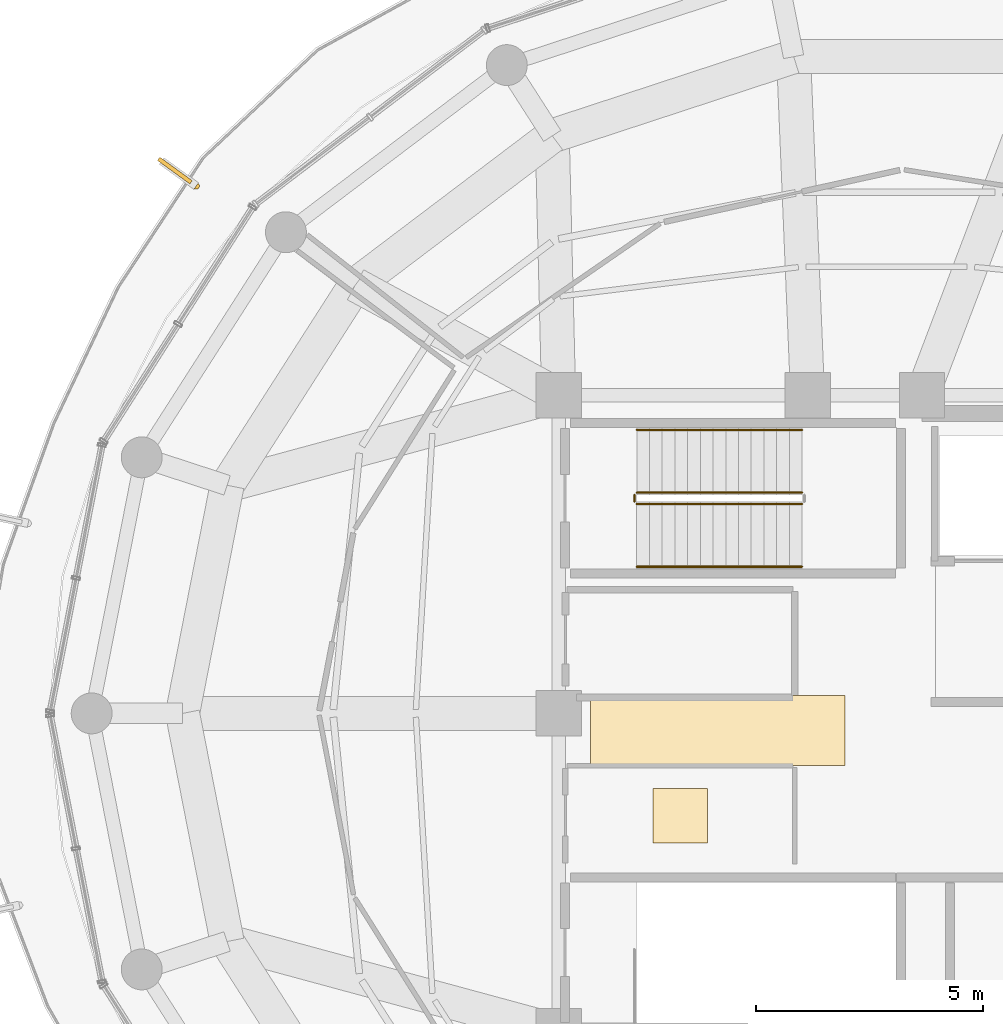
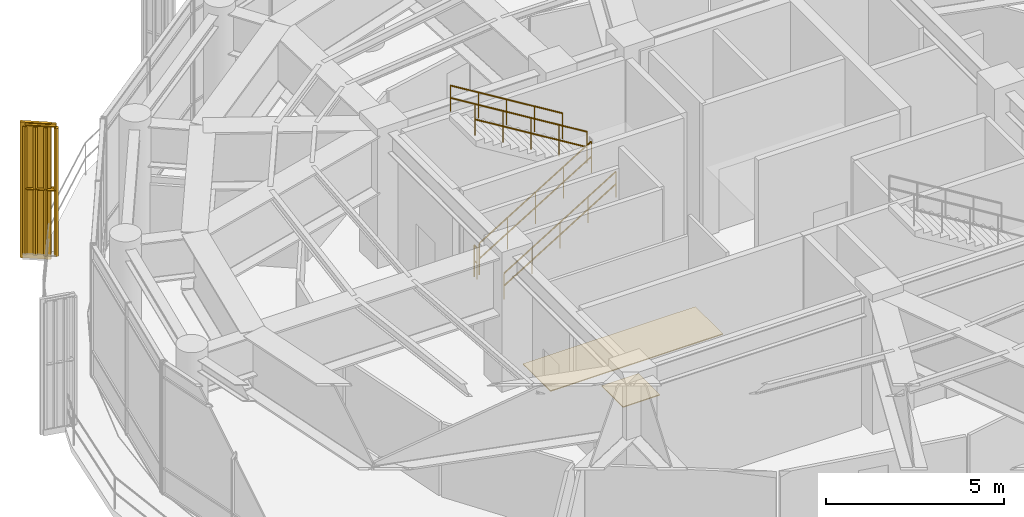
# One storey, part 22 of 23: 6 railings, 2 coverings, 1 shading device.
"""IFC4 building model written with IfcOpenShell, lengths in metres."""

from ifc_helpers import new_model, si_unit, direction, frame, origin, origin_2d, place, context, subcontext, project, spatial, polyline, rectangle, outline, extrude, source, transform, mapped, material, layer, layer_set, type_object, element, save


model = new_model("IFC4")

# Units and contexts
model_context = context("Model", 3, precision=1e-05, world=origin(), true_north=direction((0.0, 1.0)))
body_context = subcontext(model_context, "Body", "Model", "MODEL_VIEW")
ifc_project = project(units=[si_unit("LENGTHUNIT", "METRE"), si_unit("AREAUNIT", "SQUARE_METRE"), si_unit("VOLUMEUNIT", "CUBIC_METRE"), si_unit("PLANEANGLEUNIT", "RADIAN"), si_unit("MASSUNIT", "GRAM", prefix="KILO")], contexts=[model_context])

# Site, building, storey
site_placement = place(None, origin())
site = spatial("IfcSite", under=ifc_project, at=site_placement, CompositionType="ELEMENT")
building_placement = place(site_placement, origin())
building = spatial("IfcBuilding", under=site, at=building_placement, Name="Kelanora Arch Commons", CompositionType="ELEMENT")
storey_placement = place(building_placement, frame((0.0, 0.0, 293.699951171875)))
storey = spatial("IfcBuildingStorey", under=building, at=storey_placement, Name="L75", CompositionType="ELEMENT", Elevation=293.699951171875)

# Railings
ifc_material_1 = material(Name="Anodised bronze vertical shading fin rib assembly")
railing_type_1 = type_object("IfcRailingType", Name="RAIL-FIN-BRZ", PredefinedType="BALUSTRADE", material=ifc_material_1)
railing_1_placement = place(storey_placement, frame((58.0205078125, 69.60986328125, -0.02001953125)))
element("IfcRailing", 1, at=railing_1_placement, inside=storey, type_object=railing_type_1, Name="Sweeping Bronze Vertical Fin Blade L75-06", PredefinedType="BALUSTRADE", context=body_context, shape_type="SweptSolid", body=[
    extrude(outline(polyline([(0.06982421875, 0.0), (0.034912109375, 0.060546875), (-0.034912109375, 0.060546875), (-0.06982421875, 0.0), (-0.034912109375, -0.060546875), (0.034912109375, -0.060546875), (0.06982421875, 0.0)])), frame((0.0, 0.0, 4.47021484375), z_axis=(-0.809095890984, 0.587676645097, 0.0), x_axis=(-0.587676645097, -0.809095890984, 0.0)), (0.0, 0.0, 1.0), 0.8798828125),
    extrude(outline(polyline([(0.06982421875, 0.0), (0.034912109375, 0.060546875), (-0.034912109375, 0.060546875), (-0.06982421875, 0.0), (-0.034912109375, -0.060546875), (0.034912109375, -0.060546875), (0.06982421875, 0.0)])), frame((0.0, 0.0, 2.27001953125), z_axis=(-0.809095890984, 0.587676645097, 0.0), x_axis=(-0.587676645097, -0.809095890984, 0.0)), (0.0, 0.0, 1.0), 0.8798828125),
    extrude(outline(polyline([(0.080078125, 0.0), (0.0400390625, 0.0693359375), (-0.0400390625, 0.0693359375), (-0.080078125, 0.0), (-0.0400390625, -0.0693359375), (0.0400390625, -0.0693359375), (0.080078125, 0.0)])), origin(), (0.0, 0.0, 1.0), 4.400146484375),
    extrude(outline(polyline([(0.080078125, 0.0), (0.0400390625, 0.0693359375), (-0.0400390625, 0.0693359375), (-0.080078125, 0.0), (-0.0400390625, -0.0693359375), (0.0400390625, -0.0693359375), (0.080078125, 0.0)])), frame((-0.2373046875, 0.17236328125, 0.0)), (0.0, 0.0, 1.0), 4.400146484375),
    extrude(outline(polyline([(0.080078125, 0.0), (0.0400390625, 0.0693359375), (-0.0400390625, 0.0693359375), (-0.080078125, 0.0), (-0.0400390625, -0.0693359375), (0.0400390625, -0.0693359375), (0.080078125, 0.0)])), frame((-0.474609375, 0.3447265625, 0.0)), (0.0, 0.0, 1.0), 4.400146484375),
    extrude(outline(polyline([(0.080078125, 0.0), (0.0400390625, 0.0693359375), (-0.0400390625, 0.0693359375), (-0.080078125, 0.0), (-0.0400390625, -0.0693359375), (0.0400390625, -0.0693359375), (0.080078125, 0.0)])), frame((-0.7119140625, 0.51708984375, 0.0)), (0.0, 0.0, 1.0), 4.400146484375),
])
ifc_material_2 = material(Name="Painted steel stair well guard", Category="steel")
railing_type_2 = type_object("IfcRailingType", Name="RAIL-STAIR-GRD", PredefinedType="GUARDRAIL", material=ifc_material_2)
railing_2_placement = place(storey_placement, frame((67.719970703125, 62.610107421875, 0.17138671875)))
element("IfcRailing", 2, at=railing_2_placement, inside=storey, type_object=railing_type_2, Name="L75 ST-T1 stair guard 1", PredefinedType="GUARDRAIL", context=body_context, shape_type="SweptSolid", body=[
    extrude(outline(polyline([(0.02392578125, 0.0), (0.011962890625, 0.020751953125), (-0.011962890625, 0.020751953125), (-0.02392578125, 0.0), (-0.011962890625, -0.020751953125), (0.011962890625, -0.020751953125), (0.02392578125, 0.0)])), frame((0.0, 0.0, 1.076171875), z_axis=(0.852840387347, 0.0, 0.522171689878), x_axis=(0.0, 1.0, 0.0)), (0.0, 0.0, 1.0), 4.268310546875),
    extrude(outline(polyline([(0.02392578125, 0.0), (0.011962890625, 0.020751953125), (-0.011962890625, 0.020751953125), (-0.02392578125, 0.0), (-0.011962890625, -0.020751953125), (0.011962890625, -0.020751953125), (0.02392578125, 0.0)])), frame((0.0, 0.0, 0.550048828125), z_axis=(0.852840387347, 0.0, 0.522171689878), x_axis=(0.0, 1.0, 0.0)), (0.0, 0.0, 1.0), 4.268310546875),
    extrude(outline(polyline([(0.02099609375, 0.0), (0.010498046875, 0.01806640625), (-0.010498046875, 0.01806640625), (-0.02099609375, 0.0), (-0.010498046875, -0.01806640625), (0.010498046875, -0.01806640625), (0.02099609375, 0.0)])), origin(), (0.0, 0.0, 1.0), 1.052001953125),
    extrude(outline(polyline([(0.02099609375, 0.0), (0.010498046875, 0.01806640625), (-0.010498046875, 0.01806640625), (-0.02099609375, 0.0), (-0.010498046875, -0.01806640625), (0.010498046875, -0.01806640625), (0.02099609375, 0.0)])), frame((0.91015625, 0.0, 0.55712890625)), (0.0, 0.0, 1.0), 1.052001953125),
    extrude(outline(polyline([(0.02099609375, 0.0), (0.010498046875, 0.01806640625), (-0.010498046875, 0.01806640625), (-0.02099609375, 0.0), (-0.010498046875, -0.01806640625), (0.010498046875, -0.01806640625), (0.02099609375, 0.0)])), frame((1.820068359375, 0.0, 1.1142578125)), (0.0, 0.0, 1.0), 1.052001953125),
    extrude(outline(polyline([(0.02099609375, 0.0), (0.010498046875, 0.01806640625), (-0.010498046875, 0.01806640625), (-0.02099609375, 0.0), (-0.010498046875, -0.01806640625), (0.010498046875, -0.01806640625), (0.02099609375, 0.0)])), frame((2.72998046875, 0.0, 1.671630859375)), (0.0, 0.0, 1.0), 1.052001953125),
    extrude(outline(polyline([(0.02099609375, 0.0), (0.010498046875, 0.01806640625), (-0.010498046875, 0.01806640625), (-0.02099609375, 0.0), (-0.010498046875, -0.01806640625), (0.010498046875, -0.01806640625), (0.02099609375, 0.0)])), frame((3.64013671875, 0.0, 2.228759765625)), (0.0, 0.0, 1.0), 1.052001953125),
])
railing_3_placement = place(storey_placement, frame((71.360107421875, 62.860107421875, 2.571533203125)))
element("IfcRailing", 3, at=railing_3_placement, inside=storey, type_object=railing_type_2, Name="L75 ST-T1 stair guard 3", PredefinedType="GUARDRAIL", context=body_context, shape_type="SweptSolid", body=[
    extrude(outline(polyline([(0.02392578125, 0.0), (0.011962890625, 0.020751953125), (-0.011962890625, 0.020751953125), (-0.02392578125, 0.0), (-0.011962890625, -0.020751953125), (0.011962890625, -0.020751953125), (0.02392578125, 0.0)])), frame((0.0, 0.0, 1.076171875), z_axis=(-0.852865859571, 0.0, 0.52213008492), x_axis=(0.0, -1.0, 0.0)), (0.0, 0.0, 1.0), 4.26806640625),
    extrude(outline(polyline([(0.02392578125, 0.0), (0.011962890625, 0.020751953125), (-0.011962890625, 0.020751953125), (-0.02392578125, 0.0), (-0.011962890625, -0.020751953125), (0.011962890625, -0.020751953125), (0.02392578125, 0.0)])), frame((0.0, 0.0, 0.550048828125), z_axis=(-0.852865859571, 0.0, 0.52213008492), x_axis=(0.0, -1.0, 0.0)), (0.0, 0.0, 1.0), 4.26806640625),
    extrude(outline(polyline([(0.02099609375, 0.0), (0.010498046875, 0.01806640625), (-0.010498046875, 0.01806640625), (-0.02099609375, 0.0), (-0.010498046875, -0.01806640625), (0.010498046875, -0.01806640625), (0.02099609375, 0.0)])), origin(), (0.0, 0.0, 1.0), 1.052001953125),
    extrude(outline(polyline([(0.02099609375, 0.0), (0.010498046875, 0.01806640625), (-0.010498046875, 0.01806640625), (-0.02099609375, 0.0), (-0.010498046875, -0.01806640625), (0.010498046875, -0.01806640625), (0.02099609375, 0.0)])), frame((-0.91015625, 0.0, 0.55712890625)), (0.0, 0.0, 1.0), 1.052001953125),
    extrude(outline(polyline([(0.02099609375, 0.0), (0.010498046875, 0.01806640625), (-0.010498046875, 0.01806640625), (-0.02099609375, 0.0), (-0.010498046875, -0.01806640625), (0.010498046875, -0.01806640625), (0.02099609375, 0.0)])), frame((-1.820068359375, 0.0, 1.1142578125)), (0.0, 0.0, 1.0), 1.052001953125),
    extrude(outline(polyline([(0.02099609375, 0.0), (0.010498046875, 0.01806640625), (-0.010498046875, 0.01806640625), (-0.02099609375, 0.0), (-0.010498046875, -0.01806640625), (0.010498046875, -0.01806640625), (0.02099609375, 0.0)])), frame((-2.72998046875, 0.0, 1.67138671875)), (0.0, 0.0, 1.0), 1.052001953125),
    extrude(outline(polyline([(0.02099609375, 0.0), (0.010498046875, 0.01806640625), (-0.010498046875, 0.01806640625), (-0.02099609375, 0.0), (-0.010498046875, -0.01806640625), (0.010498046875, -0.01806640625), (0.02099609375, 0.0)])), frame((-3.64013671875, 0.0, 2.228515625)), (0.0, 0.0, 1.0), 1.052001953125),
])
railing_4_placement = place(storey_placement, frame((67.669921875, 62.659912109375, 0.0)))
element("IfcRailing", 4, at=railing_4_placement, inside=storey, type_object=railing_type_2, Name="L75 ST-T1 stair guard 4", PredefinedType="GUARDRAIL", context=body_context, shape_type="SweptSolid", body=[
    extrude(outline(polyline([(0.02392578125, 0.0), (0.011962890625, 0.020751953125), (-0.011962890625, 0.020751953125), (-0.02392578125, 0.0), (-0.011962890625, -0.020751953125), (0.011962890625, -0.020751953125), (0.02392578125, 0.0)])), frame((0.0, 0.0, 1.076171875), z_axis=(0.0, 1.0, 0.0), x_axis=(-1.0, 0.0, 0.0)), (0.0, 0.0, 1.0), 0.150146484375),
    extrude(outline(polyline([(0.02392578125, 0.0), (0.011962890625, 0.020751953125), (-0.011962890625, 0.020751953125), (-0.02392578125, 0.0), (-0.011962890625, -0.020751953125), (0.011962890625, -0.020751953125), (0.02392578125, 0.0)])), frame((0.0, 0.0, 0.550048828125), z_axis=(0.0, 1.0, 0.0), x_axis=(-1.0, 0.0, 0.0)), (0.0, 0.0, 1.0), 0.150146484375),
    extrude(outline(polyline([(0.02099609375, 0.0), (0.010498046875, 0.01806640625), (-0.010498046875, 0.01806640625), (-0.02099609375, 0.0), (-0.010498046875, -0.01806640625), (0.010498046875, -0.01806640625), (0.02099609375, 0.0)])), origin(), (0.0, 0.0, 1.0), 1.052001953125),
    extrude(outline(polyline([(0.02099609375, 0.0), (0.010498046875, 0.01806640625), (-0.010498046875, 0.01806640625), (-0.02099609375, 0.0), (-0.010498046875, -0.01806640625), (0.010498046875, -0.01806640625), (0.02099609375, 0.0)])), frame((0.0, 0.150146484375, 0.0)), (0.0, 0.0, 1.0), 1.052001953125),
])
ifc_material_3 = material(Name="Brushed stainless steel stair handrail", Category="steel")
railing_type_3 = type_object("IfcRailingType", Name="RAIL-STAIR-HND", PredefinedType="HANDRAIL", material=ifc_material_3)
railing_5_placement = place(storey_placement, frame((67.719970703125, 61.22998046875, 0.17138671875)))
element("IfcRailing", 5, at=railing_5_placement, inside=storey, type_object=railing_type_3, Name="L75 ST-T1 stair handrail 1", PredefinedType="HANDRAIL", context=body_context, shape_type="SweptSolid", body=[
    extrude(outline(polyline([(0.02392578125, 0.0), (0.011962890625, 0.020751953125), (-0.011962890625, 0.020751953125), (-0.02392578125, 0.0), (-0.011962890625, -0.020751953125), (0.011962890625, -0.020751953125), (0.02392578125, 0.0)])), frame((0.0, 0.0, 0.8759765625), z_axis=(0.852840387347, 0.0, 0.522171689878), x_axis=(0.0, 1.0, 0.0)), (0.0, 0.0, 1.0), 4.268310546875),
    extrude(outline(polyline([(0.02392578125, 0.0), (0.011962890625, 0.020751953125), (-0.011962890625, 0.020751953125), (-0.02392578125, 0.0), (-0.011962890625, -0.020751953125), (0.011962890625, -0.020751953125), (0.02392578125, 0.0)])), frame((0.0, 0.0, 0.449951171875), z_axis=(0.852840387347, 0.0, 0.522171689878), x_axis=(0.0, 1.0, 0.0)), (0.0, 0.0, 1.0), 4.268310546875),
    extrude(outline(polyline([(0.02099609375, 0.0), (0.010498046875, 0.01806640625), (-0.010498046875, 0.01806640625), (-0.02099609375, 0.0), (-0.010498046875, -0.01806640625), (0.010498046875, -0.01806640625), (0.02099609375, 0.0)])), origin(), (0.0, 0.0, 1.0), 0.851806640625),
    extrude(outline(polyline([(0.02099609375, 0.0), (0.010498046875, 0.01806640625), (-0.010498046875, 0.01806640625), (-0.02099609375, 0.0), (-0.010498046875, -0.01806640625), (0.010498046875, -0.01806640625), (0.02099609375, 0.0)])), frame((0.91015625, 0.0, 0.55712890625)), (0.0, 0.0, 1.0), 0.851806640625),
    extrude(outline(polyline([(0.02099609375, 0.0), (0.010498046875, 0.01806640625), (-0.010498046875, 0.01806640625), (-0.02099609375, 0.0), (-0.010498046875, -0.01806640625), (0.010498046875, -0.01806640625), (0.02099609375, 0.0)])), frame((1.820068359375, 0.0, 1.1142578125)), (0.0, 0.0, 1.0), 0.851806640625),
    extrude(outline(polyline([(0.02099609375, 0.0), (0.010498046875, 0.01806640625), (-0.010498046875, 0.01806640625), (-0.02099609375, 0.0), (-0.010498046875, -0.01806640625), (0.010498046875, -0.01806640625), (0.02099609375, 0.0)])), frame((2.72998046875, 0.0, 1.671630859375)), (0.0, 0.0, 1.0), 0.851806640625),
    extrude(outline(polyline([(0.02099609375, 0.0), (0.010498046875, 0.01806640625), (-0.010498046875, 0.01806640625), (-0.02099609375, 0.0), (-0.010498046875, -0.01806640625), (0.010498046875, -0.01806640625), (0.02099609375, 0.0)])), frame((3.64013671875, 0.0, 2.228759765625)), (0.0, 0.0, 1.0), 0.851806640625),
])
railing_6_placement = place(storey_placement, frame((71.360107421875, 64.239990234375, 2.571533203125)))
element("IfcRailing", 6, at=railing_6_placement, inside=storey, type_object=railing_type_3, Name="L75 ST-T1 stair handrail 2", PredefinedType="HANDRAIL", context=body_context, shape_type="SweptSolid", body=[
    extrude(outline(polyline([(0.02392578125, 0.0), (0.011962890625, 0.020751953125), (-0.011962890625, 0.020751953125), (-0.02392578125, 0.0), (-0.011962890625, -0.020751953125), (0.011962890625, -0.020751953125), (0.02392578125, 0.0)])), frame((0.0, 0.0, 0.8759765625), z_axis=(-0.852865859571, 0.0, 0.52213008492), x_axis=(0.0, -1.0, 0.0)), (0.0, 0.0, 1.0), 4.26806640625),
    extrude(outline(polyline([(0.02392578125, 0.0), (0.011962890625, 0.020751953125), (-0.011962890625, 0.020751953125), (-0.02392578125, 0.0), (-0.011962890625, -0.020751953125), (0.011962890625, -0.020751953125), (0.02392578125, 0.0)])), frame((0.0, 0.0, 0.449951171875), z_axis=(-0.852865859571, 0.0, 0.52213008492), x_axis=(0.0, -1.0, 0.0)), (0.0, 0.0, 1.0), 4.26806640625),
    extrude(outline(polyline([(0.02099609375, 0.0), (0.010498046875, 0.01806640625), (-0.010498046875, 0.01806640625), (-0.02099609375, 0.0), (-0.010498046875, -0.01806640625), (0.010498046875, -0.01806640625), (0.02099609375, 0.0)])), origin(), (0.0, 0.0, 1.0), 0.851806640625),
    extrude(outline(polyline([(0.02099609375, 0.0), (0.010498046875, 0.01806640625), (-0.010498046875, 0.01806640625), (-0.02099609375, 0.0), (-0.010498046875, -0.01806640625), (0.010498046875, -0.01806640625), (0.02099609375, 0.0)])), frame((-0.91015625, 0.0, 0.55712890625)), (0.0, 0.0, 1.0), 0.851806640625),
    extrude(outline(polyline([(0.02099609375, 0.0), (0.010498046875, 0.01806640625), (-0.010498046875, 0.01806640625), (-0.02099609375, 0.0), (-0.010498046875, -0.01806640625), (0.010498046875, -0.01806640625), (0.02099609375, 0.0)])), frame((-1.820068359375, 0.0, 1.1142578125)), (0.0, 0.0, 1.0), 0.851806640625),
    extrude(outline(polyline([(0.02099609375, 0.0), (0.010498046875, 0.01806640625), (-0.010498046875, 0.01806640625), (-0.02099609375, 0.0), (-0.010498046875, -0.01806640625), (0.010498046875, -0.01806640625), (0.02099609375, 0.0)])), frame((-2.72998046875, 0.0, 1.67138671875)), (0.0, 0.0, 1.0), 0.851806640625),
    extrude(outline(polyline([(0.02099609375, 0.0), (0.010498046875, 0.01806640625), (-0.010498046875, 0.01806640625), (-0.02099609375, 0.0), (-0.010498046875, -0.01806640625), (0.010498046875, -0.01806640625), (0.02099609375, 0.0)])), frame((-3.64013671875, 0.0, 2.228515625)), (0.0, 0.0, 1.0), 0.851806640625),
])

# Shading device
ifc_material_4 = material(Name="Terracotta ceramic-clad extruded aluminium fin", Category="masonry")
shading_device_type = type_object("IfcShadingDeviceType", Name="SHD-FIN-FLARE", PredefinedType="USERDEFINED", material=ifc_material_4)
shared_shape_1 = source(origin(), body_context, "Body", "SweptSolid", [
    extrude(rectangle(XDim=0.8798828125, YDim=0.090087890625, at=origin_2d()), origin(), (0.0, 0.0, 1.0), 4.659912109375),
])
shading_device_placement = place(storey_placement, frame((57.55126953125, 69.95068359375, -0.14013671875), z_axis=(0.0, 0.0, 1.0), x_axis=(-0.809016994375, 0.587785252292, 0.0)))
element("IfcShadingDevice", 7, at=shading_device_placement, inside=storey, type_object=shading_device_type, Name="Sweeping Terracotta Fin L75-06", ObjectType="FIN", PredefinedType="USERDEFINED", context=body_context, shape_type="MappedRepresentation", body=[
    mapped(shared_shape_1, transform((0.0, 0.0, 0.0), scale=1.0)),
])

# Coverings
ifc_material_5 = material(Name="Polished local granite terrazzo flooring", Category="masonry")
ifc_layer = layer(ifc_material_5, 0.030029296875)
ifc_layer_set = layer_set([ifc_layer], Name="Polished local granite terrazzo flooring")
covering_type = type_object("IfcCoveringType", Name="COV-FLR-TER", PredefinedType="FLOORING", material=ifc_layer_set)
shared_shape_2 = source(origin(), body_context, "Body", "SweptSolid", [
    extrude(rectangle(XDim=1.199951171875, YDim=1.199951171875, at=origin_2d()), origin(), (0.0, 0.0, 1.0), 0.030029296875),
])
covering_1_placement = place(storey_placement, frame((68.675048828125, 55.75, 0.0), z_axis=(0.0, 0.0, 1.0), x_axis=(1.0, 0.0, 0.0)))
element("IfcCovering", 8, at=covering_1_placement, inside=storey, type_object=covering_type, Name="Reclaimed Core Sky Bar Pantry L75 Terrazzo Finish", PredefinedType="FLOORING", context=body_context, shape_type="MappedRepresentation", body=[
    mapped(shared_shape_2, transform((0.0, 0.0, 0.0), scale=1.0)),
])
shared_shape_3 = source(origin(), body_context, "Body", "SweptSolid", [
    extrude(rectangle(XDim=5.60009765625, YDim=1.5400390625, at=origin_2d()), origin(), (0.0, 0.0, 1.0), 0.030029296875),
])
covering_2_placement = place(storey_placement, frame((69.5, 57.6201171875, 0.0), z_axis=(0.0, 0.0, 1.0), x_axis=(1.0, 0.0, 0.0)))
element("IfcCovering", 9, at=covering_2_placement, inside=storey, type_object=covering_type, Name="Lift Lobby Terrazzo Flooring L75", PredefinedType="FLOORING", context=body_context, shape_type="MappedRepresentation", body=[
    mapped(shared_shape_3, transform((0.0, 0.0, 0.0), scale=1.0)),
])

save(model, "model.ifc")
